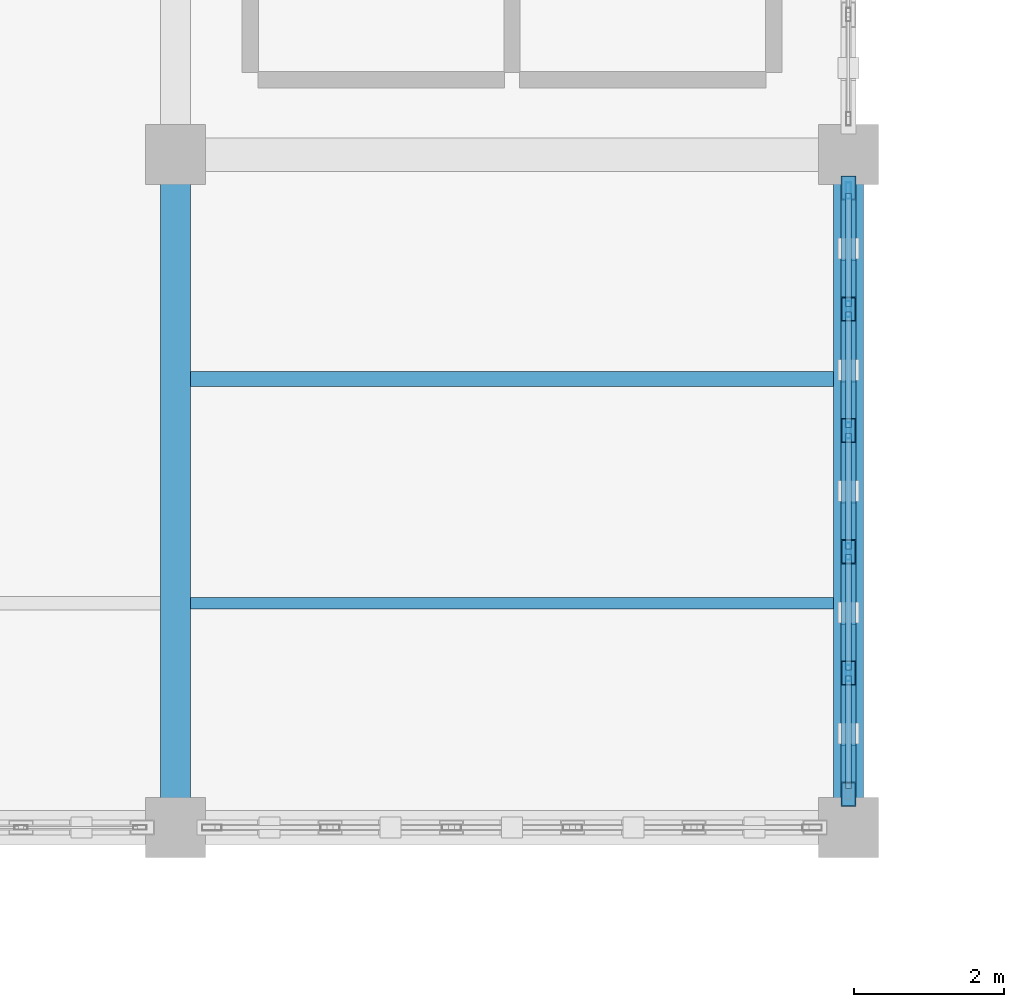
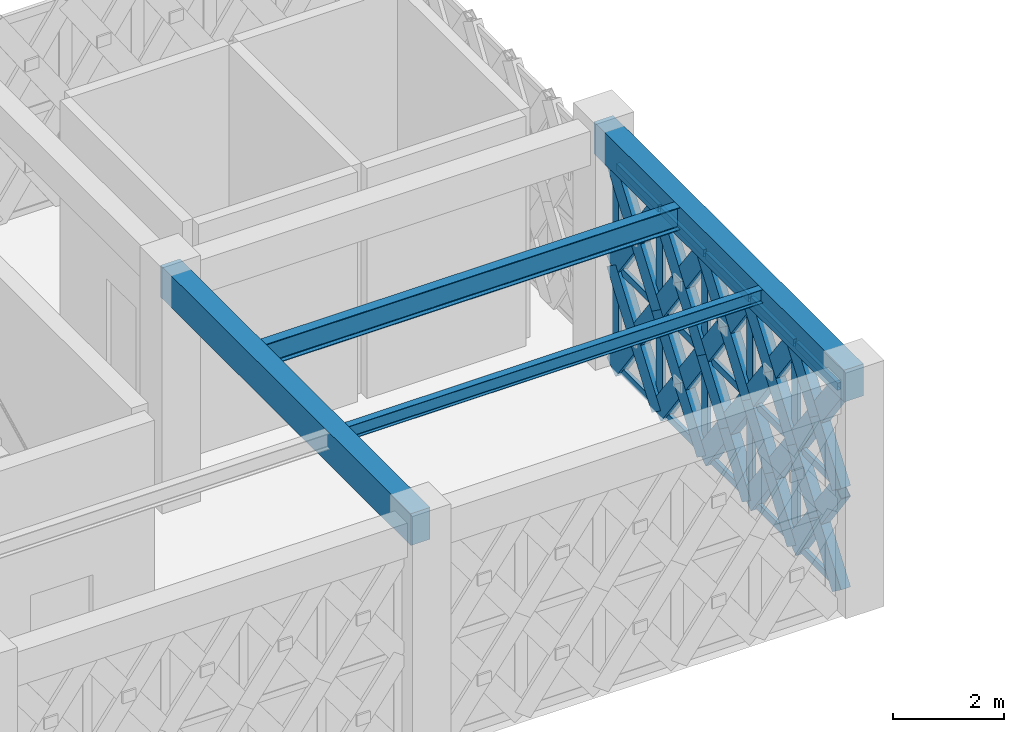
# One storey, part 41 of 86: 50 members, 4 beams, 1 element without a shape of its own.
"""IFC4 building model written with IfcOpenShell, lengths in metres."""

from ifc_helpers import new_model, si_unit, direction, frame, origin, origin_2d, place, context, subcontext, project, spatial, rectangle, hollow_rectangle, i_section, extrude, material, material_profile, profile_set, type_object, element, aggregate, save


model = new_model("IFC4")

# Units and contexts
model_context = context("Model", 3, precision=1e-05, world=origin(), true_north=direction((0.0, 1.0)))
body_context = subcontext(model_context, "Body", "Model", "MODEL_VIEW")
ifc_project = project(units=[si_unit("LENGTHUNIT", "METRE"), si_unit("AREAUNIT", "SQUARE_METRE"), si_unit("VOLUMEUNIT", "CUBIC_METRE"), si_unit("PLANEANGLEUNIT", "RADIAN"), si_unit("MASSUNIT", "GRAM", prefix="KILO")], contexts=[model_context])

# Site, building, storey
site_placement = place(None, origin())
site = spatial("IfcSite", under=ifc_project, at=site_placement, CompositionType="ELEMENT")
building_placement = place(site_placement, origin())
building = spatial("IfcBuilding", under=site, at=building_placement, Name="Haizhuo Lancet Aquarium", CompositionType="ELEMENT")
storey_placement = place(building_placement, frame((0.0, 0.0, 16.199951171875)))
storey = spatial("IfcBuildingStorey", under=building, at=storey_placement, Name="L03", CompositionType="ELEMENT", Elevation=16.199951171875)

# Beams
ifc_material_1 = material(Name="Concrete C40/50", Category="concrete")
ifc_material_profile_1 = material_profile(ifc_material_1, rectangle(XDim=0.39990234375, YDim=0.699951171875, at=origin_2d()), Name="RC-BM 400x700")
ifc_profile_set_1 = profile_set([ifc_material_profile_1], Name="Concrete C40/50")
beam_type_1 = type_object("IfcBeamType", Name="BM-RC-400x700", PredefinedType="BEAM", material=ifc_profile_set_1)
for number, where, z_axis, x_axis, name in (
    (1, (18.0, 36.0, 4.800048828125), (0.0, 1.0, 0.0), (-1.0, 0.0, 0.0), "L03 V5 primary girder BM-L03-V5-021"),
    (2, (27.0, 36.0, 4.800048828125), (0.0, 1.0, 0.0), (-1.0, 0.0, 0.0), "L03 V5 primary girder BM-L03-V5-025"),
):
    element("IfcBeam", number, at=place(storey_placement, frame(where, z_axis=z_axis, x_axis=x_axis)), inside=storey, type_object=beam_type_1, Name=name, PredefinedType="BEAM", context=body_context, shape_type="SweptSolid", body=[
        extrude(rectangle(XDim=0.39990234375, YDim=0.699951171875, at=origin_2d()), origin(), (0.0, 0.0, 1.0), 9.0),
    ])

# Curtain wall, members
ifc_material_2 = material(Name="Aluminium 6063-T6", Category="aluminium")
curtain_wall_type = type_object("IfcCurtainWallType", Name="CWD-8110x4450", PredefinedType="NOTDEFINED", material=ifc_material_2)
curtain_wall_placement = place(storey_placement, origin())
curtain_wall = element("IfcCurtainWall", 3, at=curtain_wall_placement, inside=storey, type_object=curtain_wall_type, Name="L03 curtain wall CW-V5-L03-167", PredefinedType="NOTDEFINED")
ifc_material_profile_2 = material_profile(ifc_material_2, hollow_rectangle(XDim=0.074951171875, YDim=0.219970703125, WallThickness=0.0048828125, at=origin_2d()), Name="ALU-M 75x220x5")
ifc_profile_set_2 = profile_set([ifc_material_profile_2], Name="Aluminium 6063-T6")
member_type_1 = type_object("IfcMemberType", Name="CW-MUL-2", PredefinedType="MULLION", material=ifc_profile_set_2)
member_1_placement = place(storey_placement, frame((27.0, 44.51708984375, 0.0), z_axis=(0.0, 0.0, 1.0), x_axis=(1.0, 0.0, 0.0)))
member_1 = element("IfcMember", 4, at=member_1_placement, type_object=member_type_1, Name="CWD-81x44 mullion 1", PredefinedType="MULLION", context=body_context, shape_type="SweptSolid", body=[
    extrude(hollow_rectangle(XDim=0.074951171875, YDim=0.219970703125, WallThickness=0.0048828125, at=origin_2d()), origin(), (0.0, 0.0, 1.0), 4.449951171875),
])
member_2_placement = place(storey_placement, frame((27.0, 42.93310546875, 0.0), z_axis=(0.0, 0.0, 1.0), x_axis=(1.0, 0.0, 0.0)))
member_2 = element("IfcMember", 5, at=member_2_placement, type_object=member_type_1, Name="CWD-81x44 mullion 2", PredefinedType="MULLION", context=body_context, shape_type="SweptSolid", body=[
    extrude(hollow_rectangle(XDim=0.074951171875, YDim=0.219970703125, WallThickness=0.0048828125, at=origin_2d()), origin(), (0.0, 0.0, 1.0), 4.449951171875),
])
member_3_placement = place(storey_placement, frame((27.0, 41.31103515625, 0.0), z_axis=(0.0, 0.0, 1.0), x_axis=(1.0, 0.0, 0.0)))
member_3 = element("IfcMember", 6, at=member_3_placement, type_object=member_type_1, Name="CWD-81x44 mullion 3", PredefinedType="MULLION", context=body_context, shape_type="SweptSolid", body=[
    extrude(hollow_rectangle(XDim=0.074951171875, YDim=0.219970703125, WallThickness=0.0048828125, at=origin_2d()), origin(), (0.0, 0.0, 1.0), 4.449951171875),
])
member_4_placement = place(storey_placement, frame((27.0, 39.68896484375, 0.0), z_axis=(0.0, 0.0, 1.0), x_axis=(1.0, 0.0, 0.0)))
member_4 = element("IfcMember", 7, at=member_4_placement, type_object=member_type_1, Name="CWD-81x44 mullion 4", PredefinedType="MULLION", context=body_context, shape_type="SweptSolid", body=[
    extrude(hollow_rectangle(XDim=0.074951171875, YDim=0.219970703125, WallThickness=0.0048828125, at=origin_2d()), origin(), (0.0, 0.0, 1.0), 4.449951171875),
])
member_5_placement = place(storey_placement, frame((27.0, 38.06689453125, 0.0), z_axis=(0.0, 0.0, 1.0), x_axis=(1.0, 0.0, 0.0)))
member_5 = element("IfcMember", 8, at=member_5_placement, type_object=member_type_1, Name="CWD-81x44 mullion 5", PredefinedType="MULLION", context=body_context, shape_type="SweptSolid", body=[
    extrude(hollow_rectangle(XDim=0.074951171875, YDim=0.219970703125, WallThickness=0.0048828125, at=origin_2d()), origin(), (0.0, 0.0, 1.0), 4.449951171875),
])
ifc_material_profile_3 = material_profile(ifc_material_2, hollow_rectangle(XDim=0.074951171875, YDim=0.159912109375, WallThickness=0.00390625, at=origin_2d()), Name="ALU-T 75x160x4")
ifc_profile_set_3 = profile_set([ifc_material_profile_3], Name="Aluminium 6063-T6")
member_type_2 = type_object("IfcMemberType", Name="CW-TRN-2", PredefinedType="NOTDEFINED", material=ifc_profile_set_3)
member_6_placement = place(storey_placement, frame((27.0, 44.47998046875, 0.0380859375), z_axis=(0.0, -1.0, 0.0), x_axis=(1.0, 0.0, 0.0)))
member_6 = element("IfcMember", 9, at=member_6_placement, type_object=member_type_2, Name="CWD-81x44 transom 1.1", ObjectType="TRANSOM", PredefinedType="USERDEFINED", context=body_context, shape_type="SweptSolid", body=[
    extrude(hollow_rectangle(XDim=0.074951171875, YDim=0.159912109375, WallThickness=0.00390625, at=origin_2d()), origin(), (0.0, 0.0, 1.0), 1.509033203125),
])
member_7_placement = place(storey_placement, frame((27.0, 44.47998046875, 2.22509765625), z_axis=(0.0, -1.0, 0.0), x_axis=(1.0, 0.0, 0.0)))
member_7 = element("IfcMember", 10, at=member_7_placement, type_object=member_type_2, Name="CWD-81x44 transom 1.2", ObjectType="TRANSOM", PredefinedType="USERDEFINED", context=body_context, shape_type="SweptSolid", body=[
    extrude(hollow_rectangle(XDim=0.074951171875, YDim=0.159912109375, WallThickness=0.00390625, at=origin_2d()), origin(), (0.0, 0.0, 1.0), 1.509033203125),
])
member_8_placement = place(storey_placement, frame((27.0, 44.47998046875, 4.412109375), z_axis=(0.0, -1.0, 0.0), x_axis=(1.0, 0.0, 0.0)))
member_8 = element("IfcMember", 11, at=member_8_placement, type_object=member_type_2, Name="CWD-81x44 transom 1.3", ObjectType="TRANSOM", PredefinedType="USERDEFINED", context=body_context, shape_type="SweptSolid", body=[
    extrude(hollow_rectangle(XDim=0.074951171875, YDim=0.159912109375, WallThickness=0.00390625, at=origin_2d()), origin(), (0.0, 0.0, 1.0), 1.509033203125),
])
member_9_placement = place(storey_placement, frame((27.0, 42.89501953125, 0.0380859375), z_axis=(0.0, -1.0, 0.0), x_axis=(1.0, 0.0, 0.0)))
member_9 = element("IfcMember", 12, at=member_9_placement, type_object=member_type_2, Name="CWD-81x44 transom 2.1", ObjectType="TRANSOM", PredefinedType="USERDEFINED", context=body_context, shape_type="SweptSolid", body=[
    extrude(hollow_rectangle(XDim=0.074951171875, YDim=0.159912109375, WallThickness=0.00390625, at=origin_2d()), origin(), (0.0, 0.0, 1.0), 1.5458984375),
])
member_10_placement = place(storey_placement, frame((27.0, 42.89501953125, 2.22509765625), z_axis=(0.0, -1.0, 0.0), x_axis=(1.0, 0.0, 0.0)))
member_10 = element("IfcMember", 13, at=member_10_placement, type_object=member_type_2, Name="CWD-81x44 transom 2.2", ObjectType="TRANSOM", PredefinedType="USERDEFINED", context=body_context, shape_type="SweptSolid", body=[
    extrude(hollow_rectangle(XDim=0.074951171875, YDim=0.159912109375, WallThickness=0.00390625, at=origin_2d()), origin(), (0.0, 0.0, 1.0), 1.5458984375),
])
member_11_placement = place(storey_placement, frame((27.0, 42.89501953125, 4.412109375), z_axis=(0.0, -1.0, 0.0), x_axis=(1.0, 0.0, 0.0)))
member_11 = element("IfcMember", 14, at=member_11_placement, type_object=member_type_2, Name="CWD-81x44 transom 2.3", ObjectType="TRANSOM", PredefinedType="USERDEFINED", context=body_context, shape_type="SweptSolid", body=[
    extrude(hollow_rectangle(XDim=0.074951171875, YDim=0.159912109375, WallThickness=0.00390625, at=origin_2d()), origin(), (0.0, 0.0, 1.0), 1.5458984375),
])
member_12_placement = place(storey_placement, frame((27.0, 41.27294921875, 0.0380859375), z_axis=(0.0, -1.0, 0.0), x_axis=(1.0, 0.0, 0.0)))
member_12 = element("IfcMember", 15, at=member_12_placement, type_object=member_type_2, Name="CWD-81x44 transom 3.1", ObjectType="TRANSOM", PredefinedType="USERDEFINED", context=body_context, shape_type="SweptSolid", body=[
    extrude(hollow_rectangle(XDim=0.074951171875, YDim=0.159912109375, WallThickness=0.00390625, at=origin_2d()), origin(), (0.0, 0.0, 1.0), 1.5458984375),
])
member_13_placement = place(storey_placement, frame((27.0, 41.27294921875, 2.22509765625), z_axis=(0.0, -1.0, 0.0), x_axis=(1.0, 0.0, 0.0)))
member_13 = element("IfcMember", 16, at=member_13_placement, type_object=member_type_2, Name="CWD-81x44 transom 3.2", ObjectType="TRANSOM", PredefinedType="USERDEFINED", context=body_context, shape_type="SweptSolid", body=[
    extrude(hollow_rectangle(XDim=0.074951171875, YDim=0.159912109375, WallThickness=0.00390625, at=origin_2d()), origin(), (0.0, 0.0, 1.0), 1.5458984375),
])
member_14_placement = place(storey_placement, frame((27.0, 41.27294921875, 4.412109375), z_axis=(0.0, -1.0, 0.0), x_axis=(1.0, 0.0, 0.0)))
member_14 = element("IfcMember", 17, at=member_14_placement, type_object=member_type_2, Name="CWD-81x44 transom 3.3", ObjectType="TRANSOM", PredefinedType="USERDEFINED", context=body_context, shape_type="SweptSolid", body=[
    extrude(hollow_rectangle(XDim=0.074951171875, YDim=0.159912109375, WallThickness=0.00390625, at=origin_2d()), origin(), (0.0, 0.0, 1.0), 1.5458984375),
])
member_15_placement = place(storey_placement, frame((27.0, 39.65087890625, 0.0380859375), z_axis=(0.0, -1.0, 0.0), x_axis=(1.0, 0.0, 0.0)))
member_15 = element("IfcMember", 18, at=member_15_placement, type_object=member_type_2, Name="CWD-81x44 transom 4.1", ObjectType="TRANSOM", PredefinedType="USERDEFINED", context=body_context, shape_type="SweptSolid", body=[
    extrude(hollow_rectangle(XDim=0.074951171875, YDim=0.159912109375, WallThickness=0.00390625, at=origin_2d()), origin(), (0.0, 0.0, 1.0), 1.5458984375),
])
member_16_placement = place(storey_placement, frame((27.0, 39.65087890625, 2.22509765625), z_axis=(0.0, -1.0, 0.0), x_axis=(1.0, 0.0, 0.0)))
member_16 = element("IfcMember", 19, at=member_16_placement, type_object=member_type_2, Name="CWD-81x44 transom 4.2", ObjectType="TRANSOM", PredefinedType="USERDEFINED", context=body_context, shape_type="SweptSolid", body=[
    extrude(hollow_rectangle(XDim=0.074951171875, YDim=0.159912109375, WallThickness=0.00390625, at=origin_2d()), origin(), (0.0, 0.0, 1.0), 1.5458984375),
])
member_17_placement = place(storey_placement, frame((27.0, 39.65087890625, 4.412109375), z_axis=(0.0, -1.0, 0.0), x_axis=(1.0, 0.0, 0.0)))
member_17 = element("IfcMember", 20, at=member_17_placement, type_object=member_type_2, Name="CWD-81x44 transom 4.3", ObjectType="TRANSOM", PredefinedType="USERDEFINED", context=body_context, shape_type="SweptSolid", body=[
    extrude(hollow_rectangle(XDim=0.074951171875, YDim=0.159912109375, WallThickness=0.00390625, at=origin_2d()), origin(), (0.0, 0.0, 1.0), 1.5458984375),
])
member_18_placement = place(storey_placement, frame((27.0, 38.029052734375, 0.0380859375), z_axis=(0.0, -1.0, 0.0), x_axis=(1.0, 0.0, 0.0)))
member_18 = element("IfcMember", 21, at=member_18_placement, type_object=member_type_2, Name="CWD-81x44 transom 5.1", ObjectType="TRANSOM", PredefinedType="USERDEFINED", context=body_context, shape_type="SweptSolid", body=[
    extrude(hollow_rectangle(XDim=0.074951171875, YDim=0.159912109375, WallThickness=0.00390625, at=origin_2d()), origin(), (0.0, 0.0, 1.0), 1.509033203125),
])
member_19_placement = place(storey_placement, frame((27.0, 38.029052734375, 2.22509765625), z_axis=(0.0, -1.0, 0.0), x_axis=(1.0, 0.0, 0.0)))
member_19 = element("IfcMember", 22, at=member_19_placement, type_object=member_type_2, Name="CWD-81x44 transom 5.2", ObjectType="TRANSOM", PredefinedType="USERDEFINED", context=body_context, shape_type="SweptSolid", body=[
    extrude(hollow_rectangle(XDim=0.074951171875, YDim=0.159912109375, WallThickness=0.00390625, at=origin_2d()), origin(), (0.0, 0.0, 1.0), 1.509033203125),
])
member_20_placement = place(storey_placement, frame((27.0, 38.029052734375, 4.412109375), z_axis=(0.0, -1.0, 0.0), x_axis=(1.0, 0.0, 0.0)))
member_20 = element("IfcMember", 23, at=member_20_placement, type_object=member_type_2, Name="CWD-81x44 transom 5.3", ObjectType="TRANSOM", PredefinedType="USERDEFINED", context=body_context, shape_type="SweptSolid", body=[
    extrude(hollow_rectangle(XDim=0.074951171875, YDim=0.159912109375, WallThickness=0.00390625, at=origin_2d()), origin(), (0.0, 0.0, 1.0), 1.509033203125),
])
aggregate(curtain_wall, [member_1, member_2, member_3, member_4, member_5, member_6, member_7, member_8, member_9, member_10, member_11, member_12, member_13, member_14, member_15, member_16, member_17, member_18, member_19, member_20])

# Beams
ifc_material_3 = material(Name="Steel S355", Category="steel")
ifc_material_profile_4 = material_profile(ifc_material_3, i_section(OverallWidth=0.14990234375, OverallDepth=0.300048828125, WebThickness=0.006591796875, FlangeThickness=0.009033203125, FilletRadius=0.012939453125, at=origin_2d()), Name="HN 300x150x6.5x9")
ifc_profile_set_4 = profile_set([ifc_material_profile_4], Name="Steel S355")
beam_type_2 = type_object("IfcBeamType", Name="JST-ST-HN300", PredefinedType="JOIST", material=ifc_profile_set_4)
beam_1_placement = place(storey_placement, frame((18.199951171875, 39.0, 5.0), z_axis=(1.0, 0.0, 0.0), x_axis=(0.0, 1.0, 0.0)))
element("IfcBeam", 24, at=beam_1_placement, inside=storey, type_object=beam_type_2, Name="L03 V5 secondary floor joist 15", PredefinedType="JOIST", context=body_context, shape_type="SweptSolid", body=[
    extrude(i_section(OverallWidth=0.14990234375, OverallDepth=0.300048828125, WebThickness=0.006591796875, FlangeThickness=0.009033203125, FilletRadius=0.012939453125, at=origin_2d()), origin(), (0.0, 0.0, 1.0), 8.60009765625),
])
ifc_material_profile_5 = material_profile(ifc_material_3, i_section(OverallWidth=0.199951171875, OverallDepth=0.5, WebThickness=0.010009765625, FlangeThickness=0.01611328125, FilletRadius=0.02001953125, at=origin_2d()), Name="HN 500x200x10x16")
ifc_profile_set_5 = profile_set([ifc_material_profile_5], Name="Steel S355")
beam_type_3 = type_object("IfcBeamType", Name="JST-ST-HN500", PredefinedType="JOIST", material=ifc_profile_set_5)
beam_2_placement = place(storey_placement, frame((18.199951171875, 42.0, 4.900146484375), z_axis=(1.0, 0.0, 0.0), x_axis=(0.0, 1.0, 0.0)))
element("IfcBeam", 25, at=beam_2_placement, inside=storey, type_object=beam_type_3, Name="L03 V5 secondary floor joist 16", PredefinedType="JOIST", context=body_context, shape_type="SweptSolid", body=[
    extrude(i_section(OverallWidth=0.199951171875, OverallDepth=0.5, WebThickness=0.010009765625, FlangeThickness=0.01611328125, FilletRadius=0.02001953125, at=origin_2d()), origin(), (0.0, 0.0, 1.0), 8.60009765625),
])

# Members
ifc_material_profile_6 = material_profile(ifc_material_3, hollow_rectangle(XDim=0.199951171875, YDim=0.39990234375, WallThickness=0.011962890625, at=origin_2d()), Name="RHS 200x400x12")
ifc_profile_set_6 = profile_set([ifc_material_profile_6], Name="Steel S355")
member_type_3 = type_object("IfcMemberType", Name="MEM-LB-RHS200x400", PredefinedType="BRACE", material=ifc_profile_set_6)
member_21_placement = place(storey_placement, frame((27.0, 44.554931640625, 0.0), z_axis=(0.0, -0.589020188162, 0.808118319269), x_axis=(1.0, 0.0, 0.0)))
element("IfcMember", 26, at=member_21_placement, inside=storey, type_object=member_type_3, Name="Gothic lancet continuous diagonal brace CW-V5-L03-167 1A", PredefinedType="BRACE", context=body_context, shape_type="SweptSolid", body=[
    extrude(hollow_rectangle(XDim=0.199951171875, YDim=0.39990234375, WallThickness=0.011962890625, at=origin_2d()), origin(), (0.0, 0.0, 1.0), 2.75341796875),
])
member_22_placement = place(storey_placement, frame((27.0, 42.93310546875, 0.0), z_axis=(0.0, 0.589131138018, 0.808037438624), x_axis=(-1.0, 0.0, 0.0)))
element("IfcMember", 27, at=member_22_placement, inside=storey, type_object=member_type_3, Name="Gothic lancet split diagonal brace CW-V5-L03-167 1B1", PredefinedType="BRACE", context=body_context, shape_type="SweptSolid", body=[
    extrude(hollow_rectangle(XDim=0.199951171875, YDim=0.39990234375, WallThickness=0.011962890625, at=origin_2d()), origin(), (0.0, 0.0, 1.0), 1.376220703125),
])
member_23_placement = place(storey_placement, frame((27.0, 43.743896484375, 1.112060546875), z_axis=(0.0, 0.588909302377, 0.808199129902), x_axis=(-1.0, 0.0, 0.0)))
element("IfcMember", 28, at=member_23_placement, inside=storey, type_object=member_type_3, Name="Gothic lancet split diagonal brace CW-V5-L03-167 1B2", PredefinedType="BRACE", context=body_context, shape_type="SweptSolid", body=[
    extrude(hollow_rectangle(XDim=0.199951171875, YDim=0.39990234375, WallThickness=0.011962890625, at=origin_2d()), origin(), (0.0, 0.0, 1.0), 1.377197265625),
])
member_24_placement = place(storey_placement, frame((27.0, 44.554931640625, 2.22509765625), z_axis=(0.0, -0.589062396078, 0.808087553132), x_axis=(1.0, 0.0, 0.0)))
element("IfcMember", 29, at=member_24_placement, inside=storey, type_object=member_type_3, Name="Gothic lancet continuous diagonal brace CW-V5-L03-167 2A", PredefinedType="BRACE", context=body_context, shape_type="SweptSolid", body=[
    extrude(hollow_rectangle(XDim=0.199951171875, YDim=0.39990234375, WallThickness=0.011962890625, at=origin_2d()), origin(), (0.0, 0.0, 1.0), 2.753173828125),
])
member_25_placement = place(storey_placement, frame((27.0, 42.93310546875, 2.22509765625), z_axis=(0.0, 0.588793490379, 0.808283505762), x_axis=(-1.0, 0.0, 0.0)))
element("IfcMember", 30, at=member_25_placement, inside=storey, type_object=member_type_3, Name="Gothic lancet split diagonal brace CW-V5-L03-167 2B1", PredefinedType="BRACE", context=body_context, shape_type="SweptSolid", body=[
    extrude(hollow_rectangle(XDim=0.199951171875, YDim=0.39990234375, WallThickness=0.011962890625, at=origin_2d()), origin(), (0.0, 0.0, 1.0), 1.376953125),
])
member_26_placement = place(storey_placement, frame((27.0, 43.743896484375, 3.338134765625), z_axis=(0.0, 0.589331401149, 0.80789139098), x_axis=(-1.0, 0.0, 0.0)))
element("IfcMember", 31, at=member_26_placement, inside=storey, type_object=member_type_3, Name="Gothic lancet split diagonal brace CW-V5-L03-167 2B2", PredefinedType="BRACE", context=body_context, shape_type="SweptSolid", body=[
    extrude(hollow_rectangle(XDim=0.199951171875, YDim=0.39990234375, WallThickness=0.011962890625, at=origin_2d()), origin(), (0.0, 0.0, 1.0), 1.376220703125),
])
member_27_placement = place(storey_placement, frame((27.0, 42.93310546875, 0.0), z_axis=(0.0, -0.589078088594, 0.808076113704), x_axis=(1.0, 0.0, 0.0)))
element("IfcMember", 32, at=member_27_placement, inside=storey, type_object=member_type_3, Name="Gothic lancet continuous diagonal brace CW-V5-L03-167 3A", PredefinedType="BRACE", context=body_context, shape_type="SweptSolid", body=[
    extrude(hollow_rectangle(XDim=0.199951171875, YDim=0.39990234375, WallThickness=0.011962890625, at=origin_2d()), origin(), (0.0, 0.0, 1.0), 2.753662109375),
])
member_28_placement = place(storey_placement, frame((27.0, 41.31103515625, 0.0), z_axis=(0.0, 0.589246945864, 0.807952991695), x_axis=(-1.0, 0.0, 0.0)))
element("IfcMember", 33, at=member_28_placement, inside=storey, type_object=member_type_3, Name="Gothic lancet split diagonal brace CW-V5-L03-167 3B1", PredefinedType="BRACE", context=body_context, shape_type="SweptSolid", body=[
    extrude(hollow_rectangle(XDim=0.199951171875, YDim=0.39990234375, WallThickness=0.011962890625, at=origin_2d()), origin(), (0.0, 0.0, 1.0), 1.37646484375),
])
member_29_placement = place(storey_placement, frame((27.0, 42.1220703125, 1.112060546875), z_axis=(0.0, 0.588909302377, 0.808199129902), x_axis=(-1.0, 0.0, 0.0)))
element("IfcMember", 34, at=member_29_placement, inside=storey, type_object=member_type_3, Name="Gothic lancet split diagonal brace CW-V5-L03-167 3B2", PredefinedType="BRACE", context=body_context, shape_type="SweptSolid", body=[
    extrude(hollow_rectangle(XDim=0.199951171875, YDim=0.39990234375, WallThickness=0.011962890625, at=origin_2d()), origin(), (0.0, 0.0, 1.0), 1.377197265625),
])
member_30_placement = place(storey_placement, frame((27.0, 42.93310546875, 2.22509765625), z_axis=(0.0, -0.58912029625, 0.808045343125), x_axis=(1.0, 0.0, 0.0)))
element("IfcMember", 35, at=member_30_placement, inside=storey, type_object=member_type_3, Name="Gothic lancet continuous diagonal brace CW-V5-L03-167 4A", PredefinedType="BRACE", context=body_context, shape_type="SweptSolid", body=[
    extrude(hollow_rectangle(XDim=0.199951171875, YDim=0.39990234375, WallThickness=0.011962890625, at=origin_2d()), origin(), (0.0, 0.0, 1.0), 2.75341796875),
])
member_31_placement = place(storey_placement, frame((27.0, 41.31103515625, 2.22509765625), z_axis=(0.0, 0.588909302377, 0.808199129902), x_axis=(-1.0, 0.0, 0.0)))
element("IfcMember", 36, at=member_31_placement, inside=storey, type_object=member_type_3, Name="Gothic lancet split diagonal brace CW-V5-L03-167 4B1", PredefinedType="BRACE", context=body_context, shape_type="SweptSolid", body=[
    extrude(hollow_rectangle(XDim=0.199951171875, YDim=0.39990234375, WallThickness=0.011962890625, at=origin_2d()), origin(), (0.0, 0.0, 1.0), 1.377197265625),
])
member_32_placement = place(storey_placement, frame((27.0, 42.1220703125, 3.338134765625), z_axis=(0.0, 0.589331401149, 0.80789139098), x_axis=(-1.0, 0.0, 0.0)))
element("IfcMember", 37, at=member_32_placement, inside=storey, type_object=member_type_3, Name="Gothic lancet split diagonal brace CW-V5-L03-167 4B2", PredefinedType="BRACE", context=body_context, shape_type="SweptSolid", body=[
    extrude(hollow_rectangle(XDim=0.199951171875, YDim=0.39990234375, WallThickness=0.011962890625, at=origin_2d()), origin(), (0.0, 0.0, 1.0), 1.376220703125),
])
member_33_placement = place(storey_placement, frame((27.0, 41.31103515625, 0.0), z_axis=(0.0, -0.589078088594, 0.808076113704), x_axis=(1.0, 0.0, 0.0)))
element("IfcMember", 38, at=member_33_placement, inside=storey, type_object=member_type_3, Name="Gothic lancet continuous diagonal brace CW-V5-L03-167 5A", PredefinedType="BRACE", context=body_context, shape_type="SweptSolid", body=[
    extrude(hollow_rectangle(XDim=0.199951171875, YDim=0.39990234375, WallThickness=0.011962890625, at=origin_2d()), origin(), (0.0, 0.0, 1.0), 2.753662109375),
])
member_34_placement = place(storey_placement, frame((27.0, 39.68896484375, 0.0), z_axis=(0.0, 0.589246945864, 0.807952991695), x_axis=(-1.0, 0.0, 0.0)))
element("IfcMember", 39, at=member_34_placement, inside=storey, type_object=member_type_3, Name="Gothic lancet split diagonal brace CW-V5-L03-167 5B1", PredefinedType="BRACE", context=body_context, shape_type="SweptSolid", body=[
    extrude(hollow_rectangle(XDim=0.199951171875, YDim=0.39990234375, WallThickness=0.011962890625, at=origin_2d()), origin(), (0.0, 0.0, 1.0), 1.37646484375),
])
member_35_placement = place(storey_placement, frame((27.0, 40.5, 1.112060546875), z_axis=(0.0, 0.588909302377, 0.808199129902), x_axis=(-1.0, 0.0, 0.0)))
element("IfcMember", 40, at=member_35_placement, inside=storey, type_object=member_type_3, Name="Gothic lancet split diagonal brace CW-V5-L03-167 5B2", PredefinedType="BRACE", context=body_context, shape_type="SweptSolid", body=[
    extrude(hollow_rectangle(XDim=0.199951171875, YDim=0.39990234375, WallThickness=0.011962890625, at=origin_2d()), origin(), (0.0, 0.0, 1.0), 1.377197265625),
])
member_36_placement = place(storey_placement, frame((27.0, 41.31103515625, 2.22509765625), z_axis=(0.0, -0.58912029625, 0.808045343125), x_axis=(1.0, 0.0, 0.0)))
element("IfcMember", 41, at=member_36_placement, inside=storey, type_object=member_type_3, Name="Gothic lancet continuous diagonal brace CW-V5-L03-167 6A", PredefinedType="BRACE", context=body_context, shape_type="SweptSolid", body=[
    extrude(hollow_rectangle(XDim=0.199951171875, YDim=0.39990234375, WallThickness=0.011962890625, at=origin_2d()), origin(), (0.0, 0.0, 1.0), 2.75341796875),
])
member_37_placement = place(storey_placement, frame((27.0, 39.68896484375, 2.22509765625), z_axis=(0.0, 0.588909302377, 0.808199129902), x_axis=(-1.0, 0.0, 0.0)))
element("IfcMember", 42, at=member_37_placement, inside=storey, type_object=member_type_3, Name="Gothic lancet split diagonal brace CW-V5-L03-167 6B1", PredefinedType="BRACE", context=body_context, shape_type="SweptSolid", body=[
    extrude(hollow_rectangle(XDim=0.199951171875, YDim=0.39990234375, WallThickness=0.011962890625, at=origin_2d()), origin(), (0.0, 0.0, 1.0), 1.377197265625),
])
member_38_placement = place(storey_placement, frame((27.0, 40.5, 3.338134765625), z_axis=(0.0, 0.589331401149, 0.80789139098), x_axis=(-1.0, 0.0, 0.0)))
element("IfcMember", 43, at=member_38_placement, inside=storey, type_object=member_type_3, Name="Gothic lancet split diagonal brace CW-V5-L03-167 6B2", PredefinedType="BRACE", context=body_context, shape_type="SweptSolid", body=[
    extrude(hollow_rectangle(XDim=0.199951171875, YDim=0.39990234375, WallThickness=0.011962890625, at=origin_2d()), origin(), (0.0, 0.0, 1.0), 1.376220703125),
])
member_39_placement = place(storey_placement, frame((27.0, 39.68896484375, 0.0), z_axis=(0.0, -0.589078088594, 0.808076113704), x_axis=(1.0, 0.0, 0.0)))
element("IfcMember", 44, at=member_39_placement, inside=storey, type_object=member_type_3, Name="Gothic lancet continuous diagonal brace CW-V5-L03-167 7A", PredefinedType="BRACE", context=body_context, shape_type="SweptSolid", body=[
    extrude(hollow_rectangle(XDim=0.199951171875, YDim=0.39990234375, WallThickness=0.011962890625, at=origin_2d()), origin(), (0.0, 0.0, 1.0), 2.753662109375),
])
member_40_placement = place(storey_placement, frame((27.0, 38.06689453125, 0.0), z_axis=(0.0, 0.589246945864, 0.807952991695), x_axis=(-1.0, 0.0, 0.0)))
element("IfcMember", 45, at=member_40_placement, inside=storey, type_object=member_type_3, Name="Gothic lancet split diagonal brace CW-V5-L03-167 7B1", PredefinedType="BRACE", context=body_context, shape_type="SweptSolid", body=[
    extrude(hollow_rectangle(XDim=0.199951171875, YDim=0.39990234375, WallThickness=0.011962890625, at=origin_2d()), origin(), (0.0, 0.0, 1.0), 1.37646484375),
])
member_41_placement = place(storey_placement, frame((27.0, 38.8779296875, 1.112060546875), z_axis=(0.0, 0.588909302377, 0.808199129902), x_axis=(-1.0, 0.0, 0.0)))
element("IfcMember", 46, at=member_41_placement, inside=storey, type_object=member_type_3, Name="Gothic lancet split diagonal brace CW-V5-L03-167 7B2", PredefinedType="BRACE", context=body_context, shape_type="SweptSolid", body=[
    extrude(hollow_rectangle(XDim=0.199951171875, YDim=0.39990234375, WallThickness=0.011962890625, at=origin_2d()), origin(), (0.0, 0.0, 1.0), 1.377197265625),
])
member_42_placement = place(storey_placement, frame((27.0, 39.68896484375, 2.22509765625), z_axis=(0.0, -0.58912029625, 0.808045343125), x_axis=(1.0, 0.0, 0.0)))
element("IfcMember", 47, at=member_42_placement, inside=storey, type_object=member_type_3, Name="Gothic lancet continuous diagonal brace CW-V5-L03-167 8A", PredefinedType="BRACE", context=body_context, shape_type="SweptSolid", body=[
    extrude(hollow_rectangle(XDim=0.199951171875, YDim=0.39990234375, WallThickness=0.011962890625, at=origin_2d()), origin(), (0.0, 0.0, 1.0), 2.75341796875),
])
member_43_placement = place(storey_placement, frame((27.0, 38.06689453125, 2.22509765625), z_axis=(0.0, 0.588909302377, 0.808199129902), x_axis=(-1.0, 0.0, 0.0)))
element("IfcMember", 48, at=member_43_placement, inside=storey, type_object=member_type_3, Name="Gothic lancet split diagonal brace CW-V5-L03-167 8B1", PredefinedType="BRACE", context=body_context, shape_type="SweptSolid", body=[
    extrude(hollow_rectangle(XDim=0.199951171875, YDim=0.39990234375, WallThickness=0.011962890625, at=origin_2d()), origin(), (0.0, 0.0, 1.0), 1.377197265625),
])
member_44_placement = place(storey_placement, frame((27.0, 38.8779296875, 3.338134765625), z_axis=(0.0, 0.589331401149, 0.80789139098), x_axis=(-1.0, 0.0, 0.0)))
element("IfcMember", 49, at=member_44_placement, inside=storey, type_object=member_type_3, Name="Gothic lancet split diagonal brace CW-V5-L03-167 8B2", PredefinedType="BRACE", context=body_context, shape_type="SweptSolid", body=[
    extrude(hollow_rectangle(XDim=0.199951171875, YDim=0.39990234375, WallThickness=0.011962890625, at=origin_2d()), origin(), (0.0, 0.0, 1.0), 1.376220703125),
])
member_45_placement = place(storey_placement, frame((27.0, 38.06689453125, 0.0), z_axis=(0.0, -0.589020188162, 0.808118319269), x_axis=(1.0, 0.0, 0.0)))
element("IfcMember", 50, at=member_45_placement, inside=storey, type_object=member_type_3, Name="Gothic lancet continuous diagonal brace CW-V5-L03-167 9A", PredefinedType="BRACE", context=body_context, shape_type="SweptSolid", body=[
    extrude(hollow_rectangle(XDim=0.199951171875, YDim=0.39990234375, WallThickness=0.011962890625, at=origin_2d()), origin(), (0.0, 0.0, 1.0), 2.75341796875),
])
member_46_placement = place(storey_placement, frame((27.0, 36.445068359375, 0.0), z_axis=(0.0, 0.589246945864, 0.807952991695), x_axis=(-1.0, 0.0, 0.0)))
element("IfcMember", 51, at=member_46_placement, inside=storey, type_object=member_type_3, Name="Gothic lancet split diagonal brace CW-V5-L03-167 9B1", PredefinedType="BRACE", context=body_context, shape_type="SweptSolid", body=[
    extrude(hollow_rectangle(XDim=0.199951171875, YDim=0.39990234375, WallThickness=0.011962890625, at=origin_2d()), origin(), (0.0, 0.0, 1.0), 1.37646484375),
])
member_47_placement = place(storey_placement, frame((27.0, 37.256103515625, 1.112060546875), z_axis=(0.0, 0.588793490379, 0.808283505762), x_axis=(-1.0, 0.0, 0.0)))
element("IfcMember", 52, at=member_47_placement, inside=storey, type_object=member_type_3, Name="Gothic lancet split diagonal brace CW-V5-L03-167 9B2", PredefinedType="BRACE", context=body_context, shape_type="SweptSolid", body=[
    extrude(hollow_rectangle(XDim=0.199951171875, YDim=0.39990234375, WallThickness=0.011962890625, at=origin_2d()), origin(), (0.0, 0.0, 1.0), 1.376953125),
])
member_48_placement = place(storey_placement, frame((27.0, 38.06689453125, 2.22509765625), z_axis=(0.0, -0.589062396078, 0.808087553132), x_axis=(1.0, 0.0, 0.0)))
element("IfcMember", 53, at=member_48_placement, inside=storey, type_object=member_type_3, Name="Gothic lancet continuous diagonal brace CW-V5-L03-167 10A", PredefinedType="BRACE", context=body_context, shape_type="SweptSolid", body=[
    extrude(hollow_rectangle(XDim=0.199951171875, YDim=0.39990234375, WallThickness=0.011962890625, at=origin_2d()), origin(), (0.0, 0.0, 1.0), 2.753173828125),
])
member_49_placement = place(storey_placement, frame((27.0, 36.445068359375, 2.22509765625), z_axis=(0.0, 0.588909302377, 0.808199129902), x_axis=(-1.0, 0.0, 0.0)))
element("IfcMember", 54, at=member_49_placement, inside=storey, type_object=member_type_3, Name="Gothic lancet split diagonal brace CW-V5-L03-167 10B1", PredefinedType="BRACE", context=body_context, shape_type="SweptSolid", body=[
    extrude(hollow_rectangle(XDim=0.199951171875, YDim=0.39990234375, WallThickness=0.011962890625, at=origin_2d()), origin(), (0.0, 0.0, 1.0), 1.377197265625),
])
member_50_placement = place(storey_placement, frame((27.0, 37.256103515625, 3.338134765625), z_axis=(0.0, 0.58921559436, 0.807975855681), x_axis=(-1.0, 0.0, 0.0)))
element("IfcMember", 55, at=member_50_placement, inside=storey, type_object=member_type_3, Name="Gothic lancet split diagonal brace CW-V5-L03-167 10B2", PredefinedType="BRACE", context=body_context, shape_type="SweptSolid", body=[
    extrude(hollow_rectangle(XDim=0.199951171875, YDim=0.39990234375, WallThickness=0.011962890625, at=origin_2d()), origin(), (0.0, 0.0, 1.0), 1.3759765625),
])

save(model, "model.ifc")
